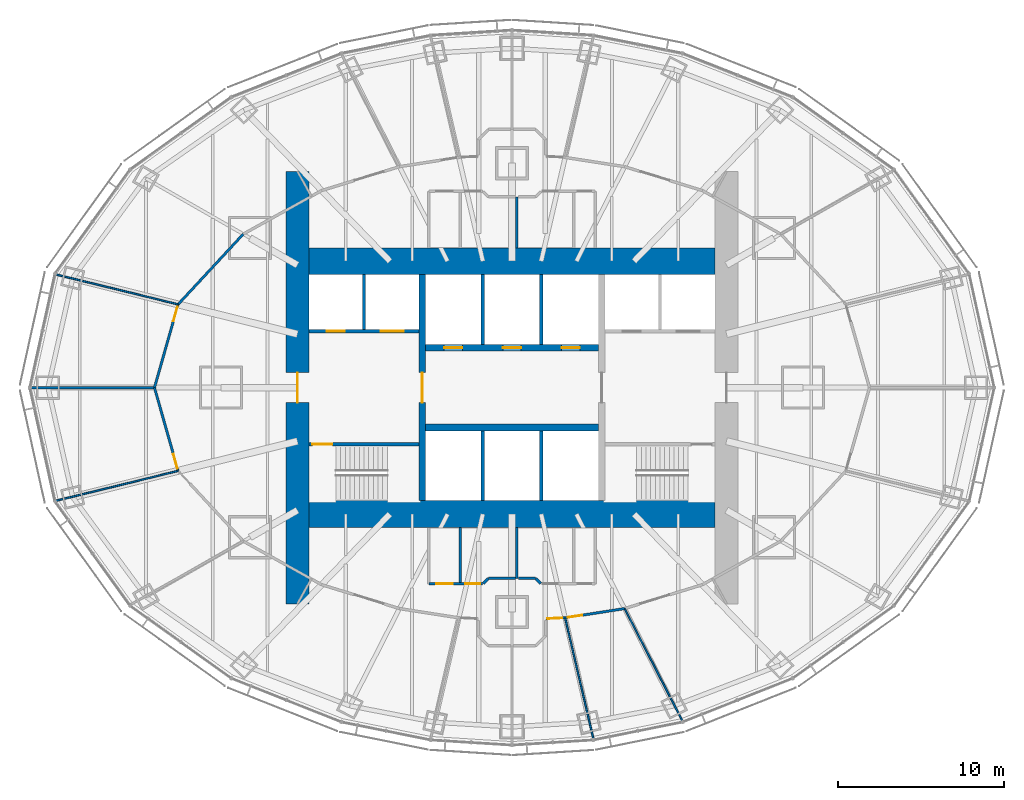
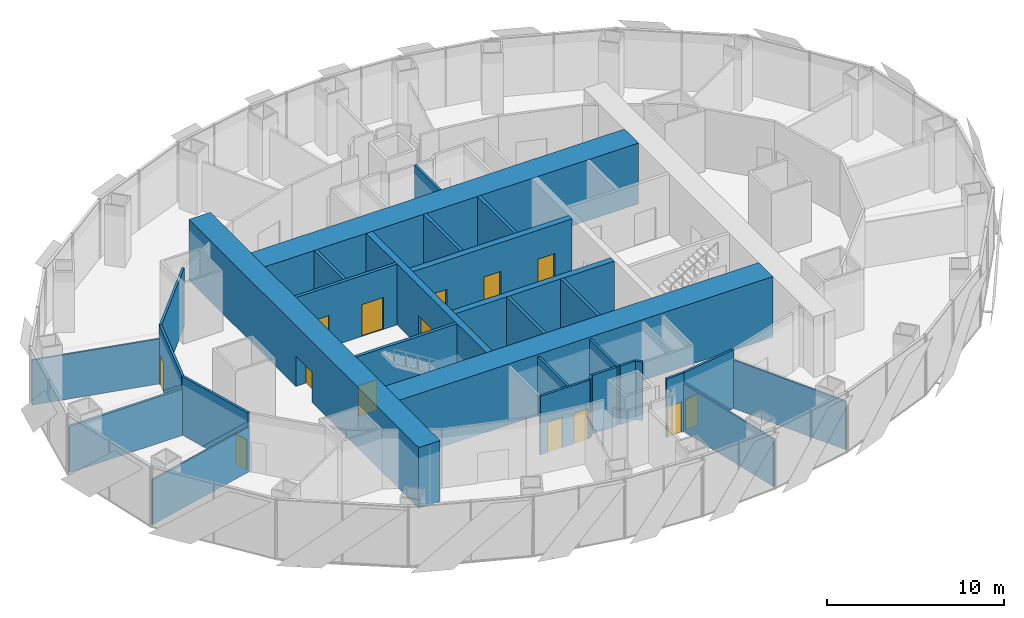
# One storey, part 11 of 17: 31 walls, 14 doors, 14 openings.
"""IFC4 building model written with IfcOpenShell, lengths in metres."""

from ifc_helpers import new_model, si_unit, direction, frame, frame_2d, origin, place, context, subcontext, project, spatial, rectangle, extrude, material, layer, layer_set, type_object, element, fill, save


model = new_model("IFC4")

# Units and contexts
model_context = context("Model", 3, precision=1e-05, world=origin(), true_north=direction((0.0, 1.0)))
body_context = subcontext(model_context, "Body", "Model", "MODEL_VIEW")
ifc_project = project(units=[si_unit("LENGTHUNIT", "METRE"), si_unit("AREAUNIT", "SQUARE_METRE"), si_unit("VOLUMEUNIT", "CUBIC_METRE"), si_unit("PLANEANGLEUNIT", "RADIAN"), si_unit("MASSUNIT", "GRAM", prefix="KILO")], contexts=[model_context])

# Site, building, storey
site_placement = place(None, origin())
site = spatial("IfcSite", under=ifc_project, at=site_placement, CompositionType="ELEMENT")
building_placement = place(site_placement, origin())
building = spatial("IfcBuilding", under=site, at=building_placement, Name="Lantaw Convention Tower", CompositionType="ELEMENT")
storey_placement = place(building_placement, frame((0.0, 0.0, 163.60009765625)))
storey = spatial("IfcBuildingStorey", under=building, at=storey_placement, Name="L38", CompositionType="ELEMENT", Elevation=163.60009765625)

# Wall, opening, door
ifc_material_1 = material(Name="Concrete C60/75", Category="concrete")
ifc_layer_1 = layer(ifc_material_1, 1.39990234375)
ifc_layer_set_1 = layer_set([ifc_layer_1], Name="Core wall 1400")
wall_type_1 = type_object("IfcWallType", Name="Core wall 1400", PredefinedType="SHEAR", material=ifc_layer_set_1)
wall_1_placement = place(storey_placement, frame((-12.89990234375, 13.0, 0.0), z_axis=(0.0, 0.0, 1.0), x_axis=(0.0, -1.0, 0.0)))
wall_1 = element("IfcWall", 1, at=wall_1_placement, inside=storey, type_object=wall_type_1, Name="Core wall W", PredefinedType="SHEAR", context=body_context, shape_type="SweptSolid", body=[
    extrude(rectangle(XDim=26.0, YDim=1.39990234375, at=frame_2d((13.0, 0.0))), origin(), (0.0, 0.0, 1.0), 4.199951171875),
])
opening_1_placement = place(wall_1_placement, frame((12.10009765625, 0.0, 0.0)))
opening_1 = element("IfcOpeningElement", 2, at=opening_1_placement, cuts=wall_1, Name="Opening L38.06", PredefinedType="OPENING", context=body_context, shape_type="SweptSolid", body=[
    extrude(rectangle(XDim=1.800048828125, YDim=2.10009765625, at=frame_2d((0.89990234375, 1.050048828125))), frame((0.0, 0.7099609375, 0.0), z_axis=(0.0, -1.0, 0.0), x_axis=(1.0, 0.0, 0.0)), (0.0, 0.0, 1.0), 1.419921875),
])
ifc_material_2 = material(Name="Steel, fire rated", Category="steel")
door_type_1 = type_object("IfcDoorType", Name="Lobby double door FD90", OperationType="DOUBLE_DOOR_DOUBLE_SWING", PredefinedType="DOOR", material=ifc_material_2)
door_1_placement = place(opening_1_placement, origin())
door_1 = element("IfcDoor", 3, at=door_1_placement, inside=storey, type_object=door_type_1, Name="Firefighting lobby door", OperationType="DOUBLE_DOOR_DOUBLE_SWING", OverallHeight=2.10009765625, OverallWidth=1.800048828125, PredefinedType="DOOR", context=body_context, shape_type="SweptSolid", body=[
    extrude(rectangle(XDim=1.800048828125, YDim=2.10009765625, at=frame_2d((0.89990234375, 1.050048828125))), frame((0.0, 0.02490234375, 0.0), z_axis=(0.0, -1.0, 0.0), x_axis=(1.0, 0.0, 0.0)), (0.0, 0.0, 1.0), 0.050048828125),
])
fill(opening_1, door_1)

# Walls
ifc_layer_2 = layer(ifc_material_1, 1.60009765625)
ifc_layer_set_2 = layer_set([ifc_layer_2], Name="Core wall 1600")
wall_type_2 = type_object("IfcWallType", Name="Core wall 1600", PredefinedType="SHEAR", material=ifc_layer_set_2)
for number, where, z_axis, x_axis, name in (
    (4, (-12.199951171875, -7.60009765625, 0.0), (0.0, 0.0, 1.0), (1.0, 0.0, 0.0), "Core wall S"),
    (5, (12.199951171875, 7.60009765625, 0.0), (0.0, 0.0, 1.0), (-1.0, 0.0, 0.0), "Core wall N"),
):
    element("IfcWall", number, at=place(storey_placement, frame(where, z_axis=z_axis, x_axis=x_axis)), inside=storey, type_object=wall_type_2, Name=name, PredefinedType="SHEAR", context=body_context, shape_type="SweptSolid", body=[
        extrude(rectangle(XDim=24.39990234375, YDim=1.60009765625, at=frame_2d((12.199951171875, 0.0))), origin(), (0.0, 0.0, 1.0), 4.199951171875),
    ])

# Wall, opening, door
ifc_layer_3 = layer(ifc_material_1, 0.199951171875)
ifc_layer_set_3 = layer_set([ifc_layer_3], Name="Core wall 200")
wall_type_3 = type_object("IfcWallType", Name="Core wall 200", PredefinedType="SHEAR", material=ifc_layer_set_3)
wall_2_placement = place(storey_placement, frame((-5.60009765625, -3.39990234375, 0.0), z_axis=(0.0, 0.0, 1.0), x_axis=(-1.0, 0.0, 0.0)))
wall_2 = element("IfcWall", 6, at=wall_2_placement, inside=storey, type_object=wall_type_3, Name="Core wall WS", PredefinedType="SHEAR", context=body_context, shape_type="SweptSolid", body=[
    extrude(rectangle(XDim=6.599853515625, YDim=0.199951171875, at=frame_2d((3.2998046875, 0.0))), origin(), (0.0, 0.0, 1.0), 4.199951171875),
])
opening_2_placement = place(wall_2_placement, frame((5.199951171875, 0.0, 0.0)))
opening_2 = element("IfcOpeningElement", 7, at=opening_2_placement, cuts=wall_2, Name="Opening L38.04", PredefinedType="OPENING", context=body_context, shape_type="SweptSolid", body=[
    extrude(rectangle(XDim=1.199951171875, YDim=2.10009765625, at=frame_2d((0.60009765625, 1.050048828125))), frame((0.0, 0.10986328125, 0.0), z_axis=(0.0, -1.0, 0.0), x_axis=(1.0, 0.0, 0.0)), (0.0, 0.0, 1.0), 0.219970703125),
])
door_type_2 = type_object("IfcDoorType", Name="Stair door FD90", OperationType="SINGLE_SWING_RIGHT", PredefinedType="DOOR", material=ifc_material_2)
door_2_placement = place(opening_2_placement, origin())
door_2 = element("IfcDoor", 8, at=door_2_placement, inside=storey, type_object=door_type_2, Name="Exit stair door", OperationType="SINGLE_SWING_RIGHT", OverallHeight=2.10009765625, OverallWidth=1.199951171875, PredefinedType="DOOR", context=body_context, shape_type="SweptSolid", body=[
    extrude(rectangle(XDim=1.199951171875, YDim=2.10009765625, at=frame_2d((0.60009765625, 1.050048828125))), frame((0.0, 0.02490234375, 0.0), z_axis=(0.0, -1.0, 0.0), x_axis=(1.0, 0.0, 0.0)), (0.0, 0.0, 1.0), 0.050048828125),
])
fill(opening_2, door_2)

ifc_layer_4 = layer(ifc_material_1, 0.39990234375)
ifc_layer_set_4 = layer_set([ifc_layer_4], Name="Core wall 400")
wall_type_4 = type_object("IfcWallType", Name="Core wall 400", PredefinedType="SHEAR", material=ifc_layer_set_4)
wall_3_placement = place(storey_placement, frame((-5.39990234375, 6.800048828125, 0.0), z_axis=(0.0, 0.0, 1.0), x_axis=(0.0, -1.0, 0.0)))
wall_3 = element("IfcWall", 9, at=wall_3_placement, inside=storey, type_object=wall_type_4, Name="Core wall XW", PredefinedType="SHEAR", context=body_context, shape_type="SweptSolid", body=[
    extrude(rectangle(XDim=13.60009765625, YDim=0.39990234375, at=frame_2d((6.800048828125, 0.0))), origin(), (0.0, 0.0, 1.0), 4.199951171875),
])
opening_3_placement = place(wall_3_placement, frame((5.89990234375, 0.0, 0.0)))
opening_3 = element("IfcOpeningElement", 10, at=opening_3_placement, cuts=wall_3, Name="Opening L38.02", PredefinedType="OPENING", context=body_context, shape_type="SweptSolid", body=[
    extrude(rectangle(XDim=1.800048828125, YDim=2.10009765625, at=frame_2d((0.89990234375, 1.050048828125))), frame((0.0, 0.2099609375, 0.0), z_axis=(0.0, -1.0, 0.0), x_axis=(1.0, 0.0, 0.0)), (0.0, 0.0, 1.0), 0.419921875),
])
door_3_placement = place(opening_3_placement, origin())
door_3 = element("IfcDoor", 11, at=door_3_placement, inside=storey, type_object=door_type_1, Name="Lift lobby door", OperationType="DOUBLE_DOOR_DOUBLE_SWING", OverallHeight=2.10009765625, OverallWidth=1.800048828125, PredefinedType="DOOR", context=body_context, shape_type="SweptSolid", body=[
    extrude(rectangle(XDim=1.800048828125, YDim=2.10009765625, at=frame_2d((0.89990234375, 1.050048828125))), frame((0.0, 0.02490234375, 0.0), z_axis=(0.0, -1.0, 0.0), x_axis=(1.0, 0.0, 0.0)), (0.0, 0.0, 1.0), 0.050048828125),
])
fill(opening_3, door_3)

# Wall
wall_4_placement = place(storey_placement, frame((-5.199951171875, -2.39990234375, 0.0), z_axis=(0.0, 0.0, 1.0), x_axis=(1.0, 0.0, 0.0)))
element("IfcWall", 12, at=wall_4_placement, inside=storey, type_object=wall_type_4, Name="Core wall BS", PredefinedType="SHEAR", context=body_context, shape_type="SweptSolid", body=[
    extrude(rectangle(XDim=10.39990234375, YDim=0.39990234375, at=frame_2d((5.199951171875, 0.0))), origin(), (0.0, 0.0, 1.0), 4.199951171875),
])

# Wall, openings, doors
wall_5_placement = place(storey_placement, frame((5.199951171875, 2.39990234375, 0.0), z_axis=(0.0, 0.0, 1.0), x_axis=(-1.0, 0.0, 0.0)))
wall_5 = element("IfcWall", 13, at=wall_5_placement, inside=storey, type_object=wall_type_4, Name="Core wall BN", PredefinedType="SHEAR", context=body_context, shape_type="SweptSolid", body=[
    extrude(rectangle(XDim=10.39990234375, YDim=0.39990234375, at=frame_2d((5.199951171875, 0.0))), origin(), (0.0, 0.0, 1.0), 4.199951171875),
])
opening_4_placement = place(wall_5_placement, frame((8.183349609375, 0.0, 0.0)))
opening_4 = element("IfcOpeningElement", 14, at=opening_4_placement, cuts=wall_5, Name="Opening L38.07", PredefinedType="OPENING", context=body_context, shape_type="SweptSolid", body=[
    extrude(rectangle(XDim=1.10009765625, YDim=2.199951171875, at=frame_2d((0.550048828125, 1.10009765625))), frame((0.0, 0.2099609375, 0.0), z_axis=(0.0, -1.0, 0.0), x_axis=(1.0, 0.0, 0.0)), (0.0, 0.0, 1.0), 0.419921875),
])
opening_5_placement = place(wall_5_placement, frame((4.64990234375, 0.0, 0.0)))
opening_5 = element("IfcOpeningElement", 15, at=opening_5_placement, cuts=wall_5, Name="Opening L38.08", PredefinedType="OPENING", context=body_context, shape_type="SweptSolid", body=[
    extrude(rectangle(XDim=1.10009765625, YDim=2.199951171875, at=frame_2d((0.550048828125, 1.10009765625))), frame((0.0, 0.2099609375, 0.0), z_axis=(0.0, -1.0, 0.0), x_axis=(1.0, 0.0, 0.0)), (0.0, 0.0, 1.0), 0.419921875),
])
opening_6_placement = place(wall_5_placement, frame((1.11669921875, 0.0, 0.0)))
opening_6 = element("IfcOpeningElement", 16, at=opening_6_placement, cuts=wall_5, Name="Opening L38.09", PredefinedType="OPENING", context=body_context, shape_type="SweptSolid", body=[
    extrude(rectangle(XDim=1.10009765625, YDim=2.199951171875, at=frame_2d((0.550048828125, 1.10009765625))), frame((0.0, 0.2099609375, 0.0), z_axis=(0.0, -1.0, 0.0), x_axis=(1.0, 0.0, 0.0)), (0.0, 0.0, 1.0), 0.419921875),
])
ifc_material_3 = material(Name="Stainless steel", Category="steel")
door_type_3 = type_object("IfcDoorType", Name="Lift landing door 1100", OperationType="DOUBLE_DOOR_SLIDING", PredefinedType="DOOR", material=ifc_material_3)
door_4_placement = place(opening_4_placement, origin())
door_4 = element("IfcDoor", 17, at=door_4_placement, inside=storey, type_object=door_type_3, Name="Lift landing door N1", OperationType="DOUBLE_DOOR_SLIDING", OverallHeight=2.199951171875, OverallWidth=1.10009765625, PredefinedType="DOOR", context=body_context, shape_type="SweptSolid", body=[
    extrude(rectangle(XDim=1.10009765625, YDim=2.199951171875, at=frame_2d((0.550048828125, 1.10009765625))), frame((0.0, 0.02490234375, 0.0), z_axis=(0.0, -1.0, 0.0), x_axis=(1.0, 0.0, 0.0)), (0.0, 0.0, 1.0), 0.050048828125),
])
fill(opening_4, door_4)
door_5_placement = place(opening_5_placement, origin())
door_5 = element("IfcDoor", 18, at=door_5_placement, inside=storey, type_object=door_type_3, Name="Lift landing door N2", OperationType="DOUBLE_DOOR_SLIDING", OverallHeight=2.199951171875, OverallWidth=1.10009765625, PredefinedType="DOOR", context=body_context, shape_type="SweptSolid", body=[
    extrude(rectangle(XDim=1.10009765625, YDim=2.199951171875, at=frame_2d((0.550048828125, 1.10009765625))), frame((0.0, 0.02490234375, 0.0), z_axis=(0.0, -1.0, 0.0), x_axis=(1.0, 0.0, 0.0)), (0.0, 0.0, 1.0), 0.050048828125),
])
fill(opening_5, door_5)
door_6_placement = place(opening_6_placement, origin())
door_6 = element("IfcDoor", 19, at=door_6_placement, inside=storey, type_object=door_type_3, Name="Lift landing door N3", OperationType="DOUBLE_DOOR_SLIDING", OverallHeight=2.199951171875, OverallWidth=1.10009765625, PredefinedType="DOOR", context=body_context, shape_type="SweptSolid", body=[
    extrude(rectangle(XDim=1.10009765625, YDim=2.199951171875, at=frame_2d((0.550048828125, 1.10009765625))), frame((0.0, 0.02490234375, 0.0), z_axis=(0.0, -1.0, 0.0), x_axis=(1.0, 0.0, 0.0)), (0.0, 0.0, 1.0), 0.050048828125),
])
fill(opening_6, door_6)

# Wall
ifc_material_4 = material(Name="Gypsum board on steel studs, fire rated", Category="steel")
ifc_layer_5 = layer(ifc_material_4, 0.14990234375)
ifc_layer_set_5 = layer_set([ifc_layer_5], Name="Corridor wall 150 EI 60")
wall_type_5 = type_object("IfcWallType", Name="Corridor wall 150 EI 60", PredefinedType="PARTITIONING", material=ifc_layer_set_5)
wall_6_placement = place(storey_placement, frame((-16.159912109375, 9.234375, 0.0), z_axis=(0.0, 0.0, 1.0), x_axis=(-0.679724658223, -0.733467374191, 0.0)))
element("IfcWall", 20, at=wall_6_placement, inside=storey, type_object=wall_type_5, Name="Corridor wall 150", PredefinedType="PARTITIONING", context=body_context, shape_type="SweptSolid", body=[
    extrude(rectangle(XDim=5.764892578125, YDim=0.14990234375, at=frame_2d((2.88232421875, 0.0))), origin(), (0.0, 0.0, 1.0), 4.0498046875),
])

# Wall, opening, door
wall_7_placement = place(storey_placement, frame((-20.078369140625, 5.006103515625, 0.0), z_axis=(0.0, 0.0, 1.0), x_axis=(-0.273177936169, -0.961963520717, 0.0)))
wall_7 = element("IfcWall", 21, at=wall_7_placement, inside=storey, type_object=wall_type_5, Name="Corridor wall 150", PredefinedType="PARTITIONING", context=body_context, shape_type="SweptSolid", body=[
    extrude(rectangle(XDim=5.2041015625, YDim=0.14990234375, at=frame_2d((2.60205078125, 0.0))), origin(), (0.0, 0.0, 1.0), 4.0498046875),
])
opening_7_placement = place(wall_7_placement, frame((0.14990234375, 0.0, 0.0)))
opening_7 = element("IfcOpeningElement", 22, at=opening_7_placement, cuts=wall_7, Name="Opening L38.29", PredefinedType="OPENING", context=body_context, shape_type="SweptSolid", body=[
    extrude(rectangle(XDim=0.89990234375, YDim=2.10009765625, at=frame_2d((0.449951171875, 1.050048828125))), frame((0.0, 0.0849609375, 0.0), z_axis=(0.0, -1.0, 0.0), x_axis=(1.0, 0.0, 0.0)), (0.0, 0.0, 1.0), 0.169921875),
])
door_type_4 = type_object("IfcDoorType", Name="Office door 900 FD30", OperationType="SINGLE_SWING_LEFT", PredefinedType="DOOR", material=ifc_material_2)
door_7_placement = place(opening_7_placement, origin())
door_7 = element("IfcDoor", 23, at=door_7_placement, inside=storey, type_object=door_type_4, Name="Pantry door", OperationType="SINGLE_SWING_LEFT", OverallHeight=2.10009765625, OverallWidth=0.89990234375, PredefinedType="DOOR", context=body_context, shape_type="SweptSolid", body=[
    extrude(rectangle(XDim=0.89990234375, YDim=2.10009765625, at=frame_2d((0.449951171875, 1.050048828125))), frame((0.0, 0.02490234375, 0.0), z_axis=(0.0, -1.0, 0.0), x_axis=(1.0, 0.0, 0.0)), (0.0, 0.0, 1.0), 0.050048828125),
])
fill(opening_7, door_7)

wall_8_placement = place(storey_placement, frame((-21.5, 0.0, 0.0), z_axis=(0.0, 0.0, 1.0), x_axis=(0.273177936169, -0.961963520717, 0.0)))
wall_8 = element("IfcWall", 24, at=wall_8_placement, inside=storey, type_object=wall_type_5, Name="Corridor wall 150", PredefinedType="PARTITIONING", context=body_context, shape_type="SweptSolid", body=[
    extrude(rectangle(XDim=5.2041015625, YDim=0.14990234375, at=frame_2d((2.60205078125, 0.0))), origin(), (0.0, 0.0, 1.0), 4.0498046875),
])
opening_8_placement = place(wall_8_placement, frame((4.154052734375, 0.0, 0.0)))
opening_8 = element("IfcOpeningElement", 25, at=opening_8_placement, cuts=wall_8, Name="Opening L38.30", PredefinedType="OPENING", context=body_context, shape_type="SweptSolid", body=[
    extrude(rectangle(XDim=0.89990234375, YDim=2.10009765625, at=frame_2d((0.449951171875, 1.050048828125))), frame((0.0, 0.0849609375, 0.0), z_axis=(0.0, -1.0, 0.0), x_axis=(1.0, 0.0, 0.0)), (0.0, 0.0, 1.0), 0.169921875),
])
door_8_placement = place(opening_8_placement, origin())
door_8 = element("IfcDoor", 26, at=door_8_placement, inside=storey, type_object=door_type_4, Name="Meeting room door", OperationType="SINGLE_SWING_LEFT", OverallHeight=2.10009765625, OverallWidth=0.89990234375, PredefinedType="DOOR", context=body_context, shape_type="SweptSolid", body=[
    extrude(rectangle(XDim=0.89990234375, YDim=2.10009765625, at=frame_2d((0.449951171875, 1.050048828125))), frame((0.0, 0.02490234375, 0.0), z_axis=(0.0, -1.0, 0.0), x_axis=(1.0, 0.0, 0.0)), (0.0, 0.0, 1.0), 0.050048828125),
])
fill(opening_8, door_8)

wall_9_placement = place(storey_placement, frame((3.1962890625, -13.844482421875, 0.0), z_axis=(0.0, 0.0, 1.0), x_axis=(0.98808911792, 0.153882731479, 0.0)))
wall_9 = element("IfcWall", 27, at=wall_9_placement, inside=storey, type_object=wall_type_5, Name="Corridor wall 150", PredefinedType="PARTITIONING", context=body_context, shape_type="SweptSolid", body=[
    extrude(rectangle(XDim=3.6171875, YDim=0.14990234375, at=frame_2d((1.80859375, 0.0))), origin(), (0.0, 0.0, 1.0), 4.0498046875),
])
opening_9_placement = place(wall_9_placement, frame((0.14990234375, 0.0, 0.0)))
opening_9 = element("IfcOpeningElement", 28, at=opening_9_placement, cuts=wall_9, Name="Opening L38.35", PredefinedType="OPENING", context=body_context, shape_type="SweptSolid", body=[
    extrude(rectangle(XDim=0.89990234375, YDim=2.10009765625, at=frame_2d((0.449951171875, 1.050048828125))), frame((0.0, 0.0849609375, 0.0), z_axis=(0.0, -1.0, 0.0), x_axis=(1.0, 0.0, 0.0)), (0.0, 0.0, 1.0), 0.169921875),
])
door_9_placement = place(opening_9_placement, origin())
door_9 = element("IfcDoor", 29, at=door_9_placement, inside=storey, type_object=door_type_4, Name="Private office door", OperationType="SINGLE_SWING_LEFT", OverallHeight=2.10009765625, OverallWidth=0.89990234375, PredefinedType="DOOR", context=body_context, shape_type="SweptSolid", body=[
    extrude(rectangle(XDim=0.89990234375, YDim=2.10009765625, at=frame_2d((0.449951171875, 1.050048828125))), frame((0.0, 0.02490234375, 0.0), z_axis=(0.0, -1.0, 0.0), x_axis=(1.0, 0.0, 0.0)), (0.0, 0.0, 1.0), 0.050048828125),
])
fill(opening_9, door_9)

wall_10_placement = place(storey_placement, frame((2.034912109375, -13.90087890625, 0.0), z_axis=(0.0, 0.0, 1.0), x_axis=(0.998823043489, 0.048502863789, 0.0)))
wall_10 = element("IfcWall", 30, at=wall_10_placement, inside=storey, type_object=wall_type_5, Name="Corridor wall 150", PredefinedType="PARTITIONING", context=body_context, shape_type="SweptSolid", body=[
    extrude(rectangle(XDim=1.162841796875, YDim=0.14990234375, at=frame_2d((0.58154296875, 0.0))), origin(), (0.0, 0.0, 1.0), 4.0498046875),
])
opening_10_placement = place(wall_10_placement, frame((0.10009765625, 0.0, 0.0)))
opening_10 = element("IfcOpeningElement", 31, at=opening_10_placement, cuts=wall_10, Name="Opening L38.34", PredefinedType="OPENING", context=body_context, shape_type="SweptSolid", body=[
    extrude(rectangle(XDim=0.89990234375, YDim=2.10009765625, at=frame_2d((0.449951171875, 1.050048828125))), frame((0.0, 0.0849609375, 0.0), z_axis=(0.0, -1.0, 0.0), x_axis=(1.0, 0.0, 0.0)), (0.0, 0.0, 1.0), 0.169921875),
])
door_10_placement = place(opening_10_placement, origin())
door_10 = element("IfcDoor", 32, at=door_10_placement, inside=storey, type_object=door_type_4, Name="Meeting room door", OperationType="SINGLE_SWING_LEFT", OverallHeight=2.10009765625, OverallWidth=0.89990234375, PredefinedType="DOOR", context=body_context, shape_type="SweptSolid", body=[
    extrude(rectangle(XDim=0.89990234375, YDim=2.10009765625, at=frame_2d((0.449951171875, 1.050048828125))), frame((0.0, 0.02490234375, 0.0), z_axis=(0.0, -1.0, 0.0), x_axis=(1.0, 0.0, 0.0)), (0.0, 0.0, 1.0), 0.050048828125),
])
fill(opening_10, door_10)

# Walls
ifc_material_5 = material(Name="Gypsum board on steel studs, acoustic", Category="steel")
ifc_layer_6 = layer(ifc_material_5, 0.10009765625)
ifc_layer_set_6 = layer_set([ifc_layer_6], Name="Office partition 100")
wall_type_6 = type_object("IfcWallType", Name="Office partition 100", PredefinedType="PARTITIONING", material=ifc_layer_set_6)
for number, where, z_axis, x_axis, name in (
    (33, (-27.440673828125, 6.808837890625, 0.0), (0.0, 0.0, 1.0), (0.971305815804, -0.237834001323, 0.0), "Office partition 100"),
    (34, (-27.440673828125, -6.808837890625, 0.0), (0.0, 0.0, 1.0), (0.971305815804, 0.237834001323, 0.0), "Office partition 100"),
):
    element("IfcWall", number, at=place(storey_placement, frame(where, z_axis=z_axis, x_axis=x_axis)), inside=storey, type_object=wall_type_6, Name=name, PredefinedType="PARTITIONING", context=body_context, shape_type="SweptSolid", body=[
        extrude(rectangle(XDim=7.579833984375, YDim=0.10009765625, at=frame_2d((3.7900390625, 0.0))), origin(), (0.0, 0.0, 1.0), 3.112548828125),
    ])
wall_11_placement = place(storey_placement, frame((4.89697265625, -21.134765625, 0.0), z_axis=(0.0, 0.0, 1.0), x_axis=(-0.227181159974, 0.973852514785, 0.0)))
element("IfcWall", 35, at=wall_11_placement, inside=storey, type_object=wall_type_6, Name="Office partition 100", PredefinedType="PARTITIONING", context=body_context, shape_type="SweptSolid", body=[
    extrude(rectangle(XDim=7.486083984375, YDim=0.10009765625, at=frame_2d((3.7431640625, 0.0))), origin(), (0.0, 0.0, 1.0), 3.29296875),
])
wall_12_placement = place(storey_placement, frame((10.25341796875, -20.0517578125, 0.0), z_axis=(0.0, 0.0, 1.0), x_axis=(-0.457797505753, 0.88905649074, 0.0)))
element("IfcWall", 36, at=wall_12_placement, inside=storey, type_object=wall_type_6, Name="Office partition 100", PredefinedType="PARTITIONING", context=body_context, shape_type="SweptSolid", body=[
    extrude(rectangle(XDim=7.60791015625, YDim=0.10009765625, at=frame_2d((3.803955078125, 0.0))), origin(), (0.0, 0.0, 1.0), 3.348876953125),
])
ifc_material_6 = material(Name="Concrete blockwork, fire rated", Category="masonry")
ifc_layer_7 = layer(ifc_material_6, 0.199951171875)
ifc_layer_set_7 = layer_set([ifc_layer_7], Name="Shaft wall 200")
wall_type_7 = type_object("IfcWallType", Name="Shaft wall 200", PredefinedType="SOLIDWALL", material=ifc_layer_set_7)
for number, where, z_axis, x_axis, name in (
    (37, (-1.7666015625, 2.60009765625, 0.0), (0.0, 0.0, 1.0), (0.0, 1.0, 0.0), "Shaft wall DN1"),
    (38, (1.7666015625, 2.60009765625, 0.0), (0.0, 0.0, 1.0), (0.0, 1.0, 0.0), "Shaft wall DN2"),
):
    element("IfcWall", number, at=place(storey_placement, frame(where, z_axis=z_axis, x_axis=x_axis)), inside=storey, type_object=wall_type_7, Name=name, PredefinedType="SOLIDWALL", context=body_context, shape_type="SweptSolid", body=[
        extrude(rectangle(XDim=4.199951171875, YDim=0.199951171875, at=frame_2d((2.10009765625, 0.0))), origin(), (0.0, 0.0, 1.0), 4.199951171875),
    ])

# Wall, openings, doors
wall_13_placement = place(storey_placement, frame((-12.199951171875, 3.39990234375, 0.0), z_axis=(0.0, 0.0, 1.0), x_axis=(1.0, 0.0, 0.0)))
wall_13 = element("IfcWall", 39, at=wall_13_placement, inside=storey, type_object=wall_type_7, Name="Shaft wall WN", PredefinedType="SOLIDWALL", context=body_context, shape_type="SweptSolid", body=[
    extrude(rectangle(XDim=6.599853515625, YDim=0.199951171875, at=frame_2d((3.2998046875, 0.0))), origin(), (0.0, 0.0, 1.0), 4.199951171875),
])
opening_11_placement = place(wall_13_placement, frame((1.050048828125, 0.0, 0.0)))
opening_11 = element("IfcOpeningElement", 40, at=opening_11_placement, cuts=wall_13, Name="Opening L38.10", PredefinedType="OPENING", context=body_context, shape_type="SweptSolid", body=[
    extrude(rectangle(XDim=1.10009765625, YDim=2.199951171875, at=frame_2d((0.550048828125, 1.10009765625))), frame((0.0, 0.10986328125, 0.0), z_axis=(0.0, -1.0, 0.0), x_axis=(1.0, 0.0, 0.0)), (0.0, 0.0, 1.0), 0.219970703125),
])
opening_12_placement = place(wall_13_placement, frame((4.300048828125, 0.0, 0.0)))
opening_12 = element("IfcOpeningElement", 41, at=opening_12_placement, cuts=wall_13, Name="Opening L38.11", PredefinedType="OPENING", context=body_context, shape_type="SweptSolid", body=[
    extrude(rectangle(XDim=1.39990234375, YDim=2.199951171875, at=frame_2d((0.699951171875, 1.10009765625))), frame((0.0, 0.10986328125, 0.0), z_axis=(0.0, -1.0, 0.0), x_axis=(1.0, 0.0, 0.0)), (0.0, 0.0, 1.0), 0.219970703125),
])
door_11_placement = place(opening_11_placement, origin())
door_11 = element("IfcDoor", 42, at=door_11_placement, inside=storey, type_object=door_type_3, Name="Lift landing door FF1", OperationType="DOUBLE_DOOR_SLIDING", OverallHeight=2.199951171875, OverallWidth=1.10009765625, PredefinedType="DOOR", context=body_context, shape_type="SweptSolid", body=[
    extrude(rectangle(XDim=1.10009765625, YDim=2.199951171875, at=frame_2d((0.550048828125, 1.10009765625))), frame((0.0, 0.02490234375, 0.0), z_axis=(0.0, -1.0, 0.0), x_axis=(1.0, 0.0, 0.0)), (0.0, 0.0, 1.0), 0.050048828125),
])
fill(opening_11, door_11)
door_type_5 = type_object("IfcDoorType", Name="Lift landing door 1400", OperationType="DOUBLE_DOOR_SLIDING", PredefinedType="DOOR", material=ifc_material_3)
door_12_placement = place(opening_12_placement, origin())
door_12 = element("IfcDoor", 43, at=door_12_placement, inside=storey, type_object=door_type_5, Name="Lift landing door SV1", OperationType="DOUBLE_DOOR_SLIDING", OverallHeight=2.199951171875, OverallWidth=1.39990234375, PredefinedType="DOOR", context=body_context, shape_type="SweptSolid", body=[
    extrude(rectangle(XDim=1.39990234375, YDim=2.199951171875, at=frame_2d((0.699951171875, 1.10009765625))), frame((0.0, 0.02490234375, 0.0), z_axis=(0.0, -1.0, 0.0), x_axis=(1.0, 0.0, 0.0)), (0.0, 0.0, 1.0), 0.050048828125),
])
fill(opening_12, door_12)

# Walls
wall_14_placement = place(storey_placement, frame((-8.89990234375, 3.5, 0.0), z_axis=(0.0, 0.0, 1.0), x_axis=(0.0, 1.0, 0.0)))
element("IfcWall", 44, at=wall_14_placement, inside=storey, type_object=wall_type_7, Name="Shaft wall WD", PredefinedType="SOLIDWALL", context=body_context, shape_type="SweptSolid", body=[
    extrude(rectangle(XDim=3.300048828125, YDim=0.199951171875, at=frame_2d((1.64990234375, 0.0))), origin(), (0.0, 0.0, 1.0), 4.199951171875),
])
ifc_layer_8 = layer(ifc_material_6, 0.199951171875)
ifc_layer_set_8 = layer_set([ifc_layer_8], Name="Shaft wall 200 load-bearing")
wall_type_8 = type_object("IfcWallType", Name="Shaft wall 200 load-bearing", PredefinedType="SOLIDWALL", material=ifc_layer_set_8)
for number, where, z_axis, x_axis, name in (
    (45, (-1.7666015625, -2.60009765625, 0.0), (0.0, 0.0, 1.0), (0.0, -1.0, 0.0), "Shaft wall DS1"),
    (46, (1.7666015625, -2.60009765625, 0.0), (0.0, 0.0, 1.0), (0.0, -1.0, 0.0), "Shaft wall DS2"),
):
    element("IfcWall", number, at=place(storey_placement, frame(where, z_axis=z_axis, x_axis=x_axis)), inside=storey, type_object=wall_type_8, Name=name, PredefinedType="SOLIDWALL", context=body_context, shape_type="SweptSolid", body=[
        extrude(rectangle(XDim=4.199951171875, YDim=0.199951171875, at=frame_2d((2.10009765625, 0.0))), origin(), (0.0, 0.0, 1.0), 4.199951171875),
    ])
ifc_layer_9 = layer(ifc_material_4, 0.14990234375)
ifc_layer_set_9 = layer_set([ifc_layer_9], Name="Tenant separation wall 150 EI 60")
wall_type_9 = type_object("IfcWallType", Name="Tenant separation wall 150 EI 60", PredefinedType="PARTITIONING", material=ifc_layer_set_9)
wall_15_placement = place(storey_placement, frame((-28.944091796875, 0.0, 0.0), z_axis=(0.0, 0.0, 1.0), x_axis=(1.0, 0.0, 0.0)))
element("IfcWall", 47, at=wall_15_placement, inside=storey, type_object=wall_type_9, Name="Tenant separation wall 150", PredefinedType="PARTITIONING", context=body_context, shape_type="SweptSolid", body=[
    extrude(rectangle(XDim=7.444091796875, YDim=0.14990234375, at=frame_2d((3.72216796875, 0.0))), origin(), (0.0, 0.0, 1.0), 3.2041015625),
])
ifc_material_7 = material(Name="Concrete blockwork", Category="masonry")
ifc_layer_10 = layer(ifc_material_7, 0.14990234375)
ifc_layer_set_10 = layer_set([ifc_layer_10], Name="WC wall 150")
wall_type_10 = type_object("IfcWallType", Name="WC wall 150", PredefinedType="SOLIDWALL", material=ifc_layer_set_10)
wall_16_placement = place(storey_placement, frame((-3.10009765625, -8.39990234375, 0.0), z_axis=(0.0, 0.0, 1.0), x_axis=(0.0, -1.0, 0.0)))
element("IfcWall", 48, at=wall_16_placement, inside=storey, type_object=wall_type_10, Name="WC wall 150", PredefinedType="SOLIDWALL", context=body_context, shape_type="SweptSolid", body=[
    extrude(rectangle(XDim=3.400146484375, YDim=0.14990234375, at=frame_2d((1.7001953125, 0.0))), origin(), (0.0, 0.0, 1.0), 4.0498046875),
])

# Wall, openings, doors
wall_17_placement = place(storey_placement, frame((-5.0, -11.800048828125, 0.0), z_axis=(0.0, 0.0, 1.0), x_axis=(1.0, 0.0, 0.0)))
wall_17 = element("IfcWall", 49, at=wall_17_placement, inside=storey, type_object=wall_type_10, Name="WC wall 150", PredefinedType="SOLIDWALL", context=body_context, shape_type="SweptSolid", body=[
    extrude(rectangle(XDim=3.236328125, YDim=0.14990234375, at=frame_2d((1.6181640625, 0.0))), origin(), (0.0, 0.0, 1.0), 4.0498046875),
])
opening_13_placement = place(wall_17_placement, frame((0.449951171875, 0.0, 0.0)))
opening_13 = element("IfcOpeningElement", 50, at=opening_13_placement, cuts=wall_17, Name="Opening L38.18", PredefinedType="OPENING", context=body_context, shape_type="SweptSolid", body=[
    extrude(rectangle(XDim=1.0, YDim=2.10009765625, at=frame_2d((0.5, 1.050048828125))), frame((0.0, 0.0849609375, 0.0), z_axis=(0.0, -1.0, 0.0), x_axis=(1.0, 0.0, 0.0)), (0.0, 0.0, 1.0), 0.169921875),
])
opening_14_placement = place(wall_17_placement, frame((2.199951171875, 0.0, 0.0)))
opening_14 = element("IfcOpeningElement", 51, at=opening_14_placement, cuts=wall_17, Name="Opening L38.19", PredefinedType="OPENING", context=body_context, shape_type="SweptSolid", body=[
    extrude(rectangle(XDim=0.89990234375, YDim=2.10009765625, at=frame_2d((0.449951171875, 1.050048828125))), frame((0.0, 0.0849609375, 0.0), z_axis=(0.0, -1.0, 0.0), x_axis=(1.0, 0.0, 0.0)), (0.0, 0.0, 1.0), 0.169921875),
])
ifc_material_8 = material(Name="Timber", Category="wood")
door_type_6 = type_object("IfcDoorType", Name="Accessible WC door 1000", OperationType="SINGLE_SWING_LEFT", PredefinedType="DOOR", material=ifc_material_8)
door_13_placement = place(opening_13_placement, origin())
door_13 = element("IfcDoor", 52, at=door_13_placement, inside=storey, type_object=door_type_6, Name="Accessible WC door", OperationType="SINGLE_SWING_LEFT", OverallHeight=2.10009765625, OverallWidth=1.0, PredefinedType="DOOR", context=body_context, shape_type="SweptSolid", body=[
    extrude(rectangle(XDim=1.0, YDim=2.10009765625, at=frame_2d((0.5, 1.050048828125))), frame((0.0, 0.02490234375, 0.0), z_axis=(0.0, -1.0, 0.0), x_axis=(1.0, 0.0, 0.0)), (0.0, 0.0, 1.0), 0.050048828125),
])
fill(opening_13, door_13)
door_type_7 = type_object("IfcDoorType", Name="WC door 900", OperationType="SINGLE_SWING_LEFT", PredefinedType="DOOR", material=ifc_material_8)
door_14_placement = place(opening_14_placement, origin())
door_14 = element("IfcDoor", 53, at=door_14_placement, inside=storey, type_object=door_type_7, Name="Male WC door", OperationType="SINGLE_SWING_LEFT", OverallHeight=2.10009765625, OverallWidth=0.89990234375, PredefinedType="DOOR", context=body_context, shape_type="SweptSolid", body=[
    extrude(rectangle(XDim=0.89990234375, YDim=2.10009765625, at=frame_2d((0.449951171875, 1.050048828125))), frame((0.0, 0.02490234375, 0.0), z_axis=(0.0, -1.0, 0.0), x_axis=(1.0, 0.0, 0.0)), (0.0, 0.0, 1.0), 0.050048828125),
])
fill(opening_14, door_14)

# Walls
wall_18_placement = place(storey_placement, frame((0.300048828125, -8.39990234375, 0.0), z_axis=(0.0, 0.0, 1.0), x_axis=(0.0, -1.0, 0.0)))
element("IfcWall", 54, at=wall_18_placement, inside=storey, type_object=wall_type_10, Name="WC wall 150", PredefinedType="SOLIDWALL", context=body_context, shape_type="SweptSolid", body=[
    extrude(rectangle(XDim=3.065185546875, YDim=0.14990234375, at=frame_2d((1.53271484375, 0.0))), origin(), (0.0, 0.0, 1.0), 4.0498046875),
])
wall_19_placement = place(storey_placement, frame((-1.733642578125, -11.7841796875, 0.0), z_axis=(0.0, 0.0, 1.0), x_axis=(0.707106781187, 0.707106781187, 0.0)))
element("IfcWall", 55, at=wall_19_placement, inside=storey, type_object=wall_type_10, Name="WC wall 150", PredefinedType="SOLIDWALL", context=body_context, shape_type="SweptSolid", body=[
    extrude(rectangle(XDim=0.43701171875, YDim=0.14990234375, at=frame_2d((0.218505859375, 0.0))), origin(), (0.0, 0.0, 1.0), 4.0498046875),
])
wall_20_placement = place(storey_placement, frame((-1.424560546875, -11.47509765625, 0.0), z_axis=(0.0, 0.0, 1.0), x_axis=(1.0, 0.0, 0.0)))
element("IfcWall", 56, at=wall_20_placement, inside=storey, type_object=wall_type_10, Name="WC wall 150", PredefinedType="SOLIDWALL", context=body_context, shape_type="SweptSolid", body=[
    extrude(rectangle(XDim=1.621337890625, YDim=0.14990234375, at=frame_2d((0.810546875, 0.0))), origin(), (0.0, 0.0, 1.0), 4.0498046875),
])
wall_21_placement = place(storey_placement, frame((0.4033203125, -11.47509765625, 0.0), z_axis=(0.0, 0.0, 1.0), x_axis=(1.0, 0.0, 0.0)))
element("IfcWall", 57, at=wall_21_placement, inside=storey, type_object=wall_type_10, Name="WC wall 150", PredefinedType="SOLIDWALL", context=body_context, shape_type="SweptSolid", body=[
    extrude(rectangle(XDim=1.021240234375, YDim=0.14990234375, at=frame_2d((0.5107421875, 0.0))), origin(), (0.0, 0.0, 1.0), 4.0498046875),
])
wall_22_placement = place(storey_placement, frame((1.424560546875, -11.47509765625, 0.0), z_axis=(0.0, 0.0, 1.0), x_axis=(0.707106781187, -0.707106781187, 0.0)))
element("IfcWall", 58, at=wall_22_placement, inside=storey, type_object=wall_type_10, Name="WC wall 150", PredefinedType="SOLIDWALL", context=body_context, shape_type="SweptSolid", body=[
    extrude(rectangle(XDim=0.43701171875, YDim=0.14990234375, at=frame_2d((0.218505859375, 0.0))), origin(), (0.0, 0.0, 1.0), 4.0498046875),
])
wall_23_placement = place(storey_placement, frame((0.300048828125, 8.39990234375, 0.0), z_axis=(0.0, 0.0, 1.0), x_axis=(0.0, 1.0, 0.0)))
element("IfcWall", 59, at=wall_23_placement, inside=storey, type_object=wall_type_10, Name="WC wall 150", PredefinedType="SOLIDWALL", context=body_context, shape_type="SweptSolid", body=[
    extrude(rectangle(XDim=3.065185546875, YDim=0.14990234375, at=frame_2d((1.53271484375, 0.0))), origin(), (0.0, 0.0, 1.0), 4.0498046875),
])

save(model, "model.ifc")
